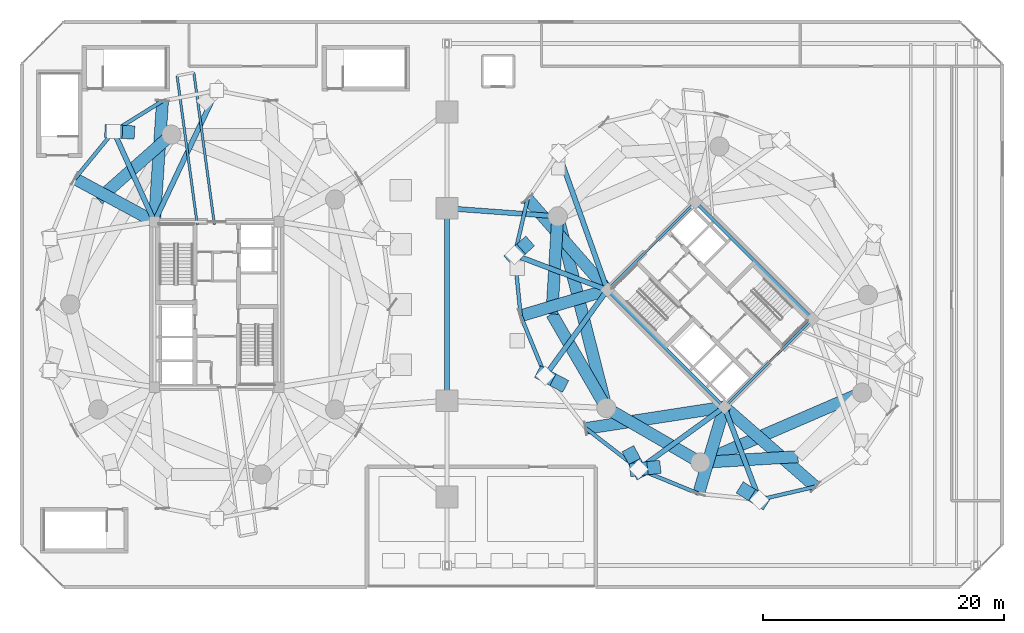
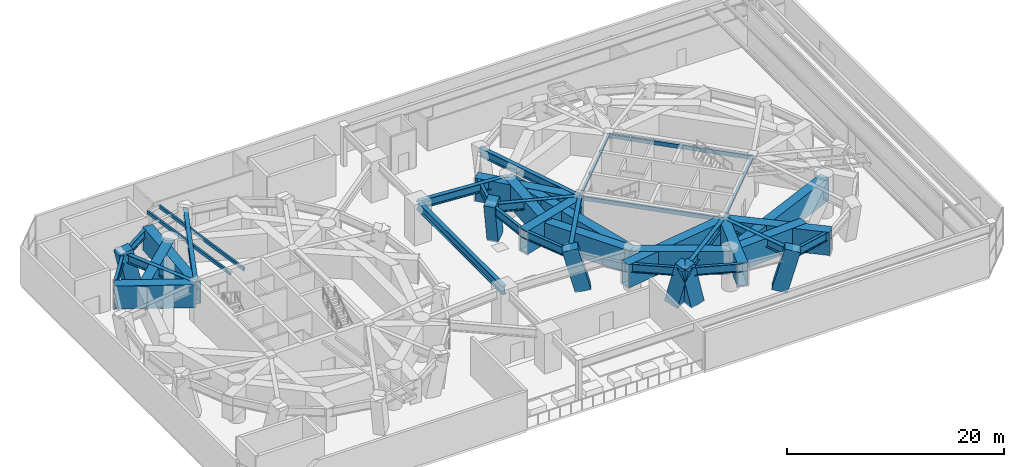
# One storey, part 5 of 25: 37 beams, 6 members.
"""IFC4 building model written with IfcOpenShell, lengths in metres."""

from ifc_helpers import new_model, si_unit, direction, frame, origin, origin_2d, place, context, subcontext, project, spatial, rectangle, hollow_rectangle, i_section, extrude, material, material_profile, profile_set, type_object, element, save


model = new_model("IFC4")

# Units and contexts
model_context = context("Model", 3, precision=1e-05, world=origin(), true_north=direction((0.0, 1.0)))
body_context = subcontext(model_context, "Body", "Model", "MODEL_VIEW")
ifc_project = project(units=[si_unit("LENGTHUNIT", "METRE"), si_unit("AREAUNIT", "SQUARE_METRE"), si_unit("VOLUMEUNIT", "CUBIC_METRE"), si_unit("PLANEANGLEUNIT", "RADIAN"), si_unit("MASSUNIT", "GRAM", prefix="KILO")], contexts=[model_context])

# Site, building, storey
site_placement = place(None, origin())
site = spatial("IfcSite", under=ifc_project, at=site_placement, CompositionType="ELEMENT")
building_placement = place(site_placement, origin())
building = spatial("IfcBuilding", under=site, at=building_placement, Name="Cununo Teusaquillo Station Towers", CompositionType="ELEMENT")
storey_placement = place(building_placement, frame((0.0, 0.0, 17.39990234375)))
storey = spatial("IfcBuildingStorey", under=building, at=storey_placement, Name="L04", CompositionType="ELEMENT", Elevation=17.39990234375)

# Beams
ifc_material_1 = material(Name="Steel EN 10025-2 S355J2", Category="steel")
ifc_material_profile_1 = material_profile(ifc_material_1, hollow_rectangle(XDim=0.199951171875, YDim=0.35009765625, WallThickness=0.013916015625, at=origin_2d()), Name="RHS 350x200x14")
ifc_profile_set_1 = profile_set([ifc_material_profile_1], Name="Steel EN 10025-2 S355J2")
beam_type_1 = type_object("IfcBeamType", Name="BM-BAL-CANT", PredefinedType="BEAM", material=ifc_profile_set_1)
beam_1_placement = place(storey_placement, frame((16.3125, 31.14990234375, 4.1650390625), z_axis=(-0.1343260621, 0.990937187233, 0.0), x_axis=(-0.990937187233, -0.1343260621, 0.0)))
element("IfcBeam", 1, at=beam_1_placement, inside=storey, type_object=beam_type_1, Name="L04 Tower A Balcony Cantilever Bracket 1A", PredefinedType="BEAM", context=body_context, shape_type="SweptSolid", body=[
    extrude(hollow_rectangle(XDim=0.199951171875, YDim=0.35009765625, WallThickness=0.013916015625, at=origin_2d()), origin(), (0.0, 0.0, 1.0), 12.748046875),
])
beam_2_placement = place(storey_placement, frame((14.884521484375, 31.14990234375, 4.1650390625), z_axis=(-0.134333385501, 0.990936194485, 0.0), x_axis=(-0.990936194485, -0.134333385501, 0.0)))
element("IfcBeam", 2, at=beam_2_placement, inside=storey, type_object=beam_type_1, Name="L04 Tower A Balcony Cantilever Bracket 1B", PredefinedType="BEAM", context=body_context, shape_type="SweptSolid", body=[
    extrude(hollow_rectangle(XDim=0.199951171875, YDim=0.35009765625, WallThickness=0.013916015625, at=origin_2d()), origin(), (0.0, 0.0, 1.0), 12.4765625),
])
ifc_material_2 = material(Name="Steel EN 10025-2 S355J2", Category="steel")
ifc_material_profile_2 = material_profile(ifc_material_2, hollow_rectangle(XDim=0.25, YDim=0.449951171875, WallThickness=0.01611328125, at=origin_2d()), Name="RHS 450x250x16")
ifc_profile_set_2 = profile_set([ifc_material_profile_2], Name="Steel EN 10025-2 S355J2")
beam_type_2 = type_object("IfcBeamType", Name="BM-COUP-1", PredefinedType="USERDEFINED", material=ifc_profile_set_2)
for number, where, z_axis, x_axis, name in (
    (3, (58.70556640625, 15.975830078125, 4.114990234375), (-0.707106781187, 0.707106781187, 0.0), (-0.707106781187, -0.707106781187, 0.0), "L04 Tower B Core Beam 1"),
    (4, (66.024169921875, 23.29443359375, 4.114990234375), (-0.707106781187, 0.707106781187, 0.0), (-0.707106781187, -0.707106781187, 0.0), "L04 Tower B Core Beam 2"),
):
    element("IfcBeam", number, at=place(storey_placement, frame(where, z_axis=z_axis, x_axis=x_axis)), inside=storey, type_object=beam_type_2, Name=name, ObjectType="COUPLING BEAM", PredefinedType="USERDEFINED", context=body_context, shape_type="SweptSolid", body=[
        extrude(hollow_rectangle(XDim=0.25, YDim=0.449951171875, WallThickness=0.01611328125, at=origin_2d()), origin(), (0.0, 0.0, 1.0), 13.760009765625),
    ])
ifc_material_3 = material(Name="Steel ASTM A572 Grade 50", Category="steel")
ifc_material_profile_3 = material_profile(ifc_material_3, i_section(OverallWidth=0.2041015625, OverallDepth=0.35009765625, WebThickness=0.008544921875, FlangeThickness=0.01513671875, FilletRadius=0.011962890625, at=origin_2d()), Name="W14X48")
ifc_profile_set_3 = profile_set([ifc_material_profile_3], Name="Steel ASTM A572 Grade 50")
beam_type_3 = type_object("IfcBeamType", Name="BM-LINTEL-1", PredefinedType="LINTEL", material=ifc_profile_set_3)
for number, where, z_axis, x_axis, name in (
    (5, (58.70556640625, 15.975830078125, 4.1650390625), (0.707106781187, 0.707106781187, 0.0), (-0.707106781187, 0.707106781187, 0.0), "L04 Tower B Core Beam 3"),
    (6, (48.975830078125, 25.70556640625, 4.1650390625), (0.707106781187, 0.707106781187, 0.0), (-0.707106781187, 0.707106781187, 0.0), "L04 Tower B Core Beam 4"),
):
    element("IfcBeam", number, at=place(storey_placement, frame(where, z_axis=z_axis, x_axis=x_axis)), inside=storey, type_object=beam_type_3, Name=name, PredefinedType="LINTEL", context=body_context, shape_type="SweptSolid", body=[
        extrude(i_section(OverallWidth=0.2041015625, OverallDepth=0.35009765625, WebThickness=0.008544921875, FlangeThickness=0.01513671875, FilletRadius=0.011962890625, at=origin_2d()), origin(), (0.0, 0.0, 1.0), 10.35009765625),
    ])
ifc_material_4 = material(Name="Steel ASTM A572 Grade 50", Category="steel")
ifc_material_profile_4 = material_profile(ifc_material_4, i_section(OverallWidth=0.30810546875, OverallDepth=0.943115234375, WebThickness=0.022216796875, FlangeThickness=0.039794921875, FilletRadius=0.02392578125, at=origin_2d()), Name="W36X232")
ifc_profile_set_4 = profile_set([ifc_material_profile_4], Name="Steel ASTM A572 Grade 50")
beam_type_4 = type_object("IfcBeamType", Name="BM-POD-SEC", PredefinedType="BEAM", material=ifc_profile_set_4)
beam_3_placement = place(storey_placement, frame((11.997314453125, 41.419189453125, 3.8681640625), z_axis=(-0.849114591758, -0.528208680412, 0.0), x_axis=(0.528208680412, -0.849114591758, 0.0)))
element("IfcBeam", 7, at=beam_3_placement, inside=storey, type_object=beam_type_4, Name="L04 Tower A Outer Diagrid Shoe Ring Girder 07", PredefinedType="BEAM", context=body_context, shape_type="SweptSolid", body=[
    extrude(i_section(OverallWidth=0.30810546875, OverallDepth=0.943115234375, WebThickness=0.022216796875, FlangeThickness=0.039794921875, FilletRadius=0.02392578125, at=origin_2d()), origin(), (0.0, 0.0, 1.0), 4.783935546875),
])
beam_4_placement = place(storey_placement, frame((7.935302734375, 38.892333984375, 3.8681640625), z_axis=(-0.633637559371, -0.77363004295, 0.0), x_axis=(0.77363004295, -0.633637559371, 0.0)))
element("IfcBeam", 8, at=beam_4_placement, inside=storey, type_object=beam_type_4, Name="L04 Tower A Outer Diagrid Shoe Ring Girder 08", PredefinedType="BEAM", context=body_context, shape_type="SweptSolid", body=[
    extrude(i_section(OverallWidth=0.30810546875, OverallDepth=0.943115234375, WebThickness=0.022216796875, FlangeThickness=0.039794921875, FilletRadius=0.02392578125, at=origin_2d()), origin(), (0.0, 0.0, 1.0), 5.087158203125),
])
beam_5_placement = place(storey_placement, frame((42.352294921875, 33.27978515625, 3.8681640625), z_axis=(-0.226905318414, -0.973916822154, 0.0), x_axis=(0.973916822154, -0.226905318414, 0.0)))
element("IfcBeam", 9, at=beam_5_placement, inside=storey, type_object=beam_type_4, Name="L04 Tower B Outer Diagrid Shoe Ring Girder 07", PredefinedType="BEAM", context=body_context, shape_type="SweptSolid", body=[
    extrude(i_section(OverallWidth=0.30810546875, OverallDepth=0.943115234375, WebThickness=0.022216796875, FlangeThickness=0.039794921875, FilletRadius=0.02392578125, at=origin_2d()), origin(), (0.0, 0.0, 1.0), 4.78369140625),
])
beam_6_placement = place(storey_placement, frame((41.266845703125, 28.620849609375, 3.8681640625), z_axis=(0.0990047934, -0.995086956443, 0.0), x_axis=(0.995086956443, 0.0990047934, 0.0)))
element("IfcBeam", 10, at=beam_6_placement, inside=storey, type_object=beam_type_4, Name="L04 Tower B Outer Diagrid Shoe Ring Girder 08", PredefinedType="BEAM", context=body_context, shape_type="SweptSolid", body=[
    extrude(i_section(OverallWidth=0.30810546875, OverallDepth=0.943115234375, WebThickness=0.022216796875, FlangeThickness=0.039794921875, FilletRadius=0.02392578125, at=origin_2d()), origin(), (0.0, 0.0, 1.0), 5.087158203125),
])
beam_7_placement = place(storey_placement, frame((41.7705078125, 23.55859375, 3.8681640625), z_axis=(0.380217331798, -0.924897172988, 0.0), x_axis=(0.924897172988, 0.380217331798, 0.0)))
element("IfcBeam", 11, at=beam_7_placement, inside=storey, type_object=beam_type_4, Name="L04 Tower B Outer Diagrid Shoe Ring Girder 09", PredefinedType="BEAM", context=body_context, shape_type="SweptSolid", body=[
    extrude(i_section(OverallWidth=0.30810546875, OverallDepth=0.943115234375, WebThickness=0.022216796875, FlangeThickness=0.039794921875, FilletRadius=0.02392578125, at=origin_2d()), origin(), (0.0, 0.0, 1.0), 5.373779296875),
])
beam_8_placement = place(storey_placement, frame((47.19677734375, 14.19677734375, 3.8681640625), z_axis=(0.792196489167, -0.610266107982, 0.0), x_axis=(0.610266107982, 0.792196489167, 0.0)))
element("IfcBeam", 12, at=beam_8_placement, inside=storey, type_object=beam_type_4, Name="L04 Tower B Outer Diagrid Shoe Ring Girder 11", PredefinedType="BEAM", context=body_context, shape_type="SweptSolid", body=[
    extrude(i_section(OverallWidth=0.30810546875, OverallDepth=0.943115234375, WebThickness=0.022216796875, FlangeThickness=0.039794921875, FilletRadius=0.02392578125, at=origin_2d()), origin(), (0.0, 0.0, 1.0), 5.54345703125),
])
beam_9_placement = place(storey_placement, frame((51.58837890625, 10.813720703125, 3.8681640625), z_axis=(0.924897172988, -0.380217331798, 0.0), x_axis=(0.380217331798, 0.924897172988, 0.0)))
element("IfcBeam", 13, at=beam_9_placement, inside=storey, type_object=beam_type_4, Name="L04 Tower B Outer Diagrid Shoe Ring Girder 12", PredefinedType="BEAM", context=body_context, shape_type="SweptSolid", body=[
    extrude(i_section(OverallWidth=0.30810546875, OverallDepth=0.943115234375, WebThickness=0.022216796875, FlangeThickness=0.039794921875, FilletRadius=0.02392578125, at=origin_2d()), origin(), (0.0, 0.0, 1.0), 5.373779296875),
])
beam_10_placement = place(storey_placement, frame((61.620849609375, 8.266845703125, 3.8681640625), z_axis=(0.973916822154, 0.226905318414, 0.0), x_axis=(-0.226905318414, 0.973916822154, 0.0)))
element("IfcBeam", 14, at=beam_10_placement, inside=storey, type_object=beam_type_4, Name="L04 Tower B Outer Diagrid Shoe Ring Girder 14", PredefinedType="BEAM", context=body_context, shape_type="SweptSolid", body=[
    extrude(i_section(OverallWidth=0.30810546875, OverallDepth=0.943115234375, WebThickness=0.022216796875, FlangeThickness=0.039794921875, FilletRadius=0.02392578125, at=origin_2d()), origin(), (0.0, 0.0, 1.0), 4.78369140625),
])
ifc_material_5 = material(Name="Steel ASTM A572 Grade 50", Category="steel")
ifc_material_profile_5 = material_profile(ifc_material_5, i_section(OverallWidth=0.423095703125, OverallDepth=0.947998046875, WebThickness=0.02392578125, FlangeThickness=0.042724609375, FilletRadius=0.02392578125, at=origin_2d()), Name="W36X302")
ifc_profile_set_5 = profile_set([ifc_material_profile_5], Name="Steel ASTM A572 Grade 50")
beam_type_5 = type_object("IfcBeamType", Name="BM-POD-SPAN", PredefinedType="BEAM", material=ifc_profile_set_5)
beam_11_placement = place(storey_placement, frame((11.324951171875, 31.3798828125, 3.8662109375), z_axis=(0.428565163203, 0.903510874804, 0.0), x_axis=(-0.903510874804, 0.428565163203, 0.0)))
element("IfcBeam", 15, at=beam_11_placement, inside=storey, type_object=beam_type_5, Name="L04 Tower A Spandrel Support Girder V05", PredefinedType="BEAM", context=body_context, shape_type="SweptSolid", body=[
    extrude(i_section(OverallWidth=0.423095703125, OverallDepth=0.947998046875, WebThickness=0.02392578125, FlangeThickness=0.042724609375, FilletRadius=0.02392578125, at=origin_2d()), origin(), (0.0, 0.0, 1.0), 12.0751953125),
])
beam_12_placement = place(storey_placement, frame((11.324951171875, 31.3798828125, 3.8662109375), z_axis=(-0.41127716143, 0.911510338113, 0.0), x_axis=(-0.911510338113, -0.41127716143, 0.0)))
element("IfcBeam", 16, at=beam_12_placement, inside=storey, type_object=beam_type_5, Name="L04 Tower A Spandrel Support Girder V07", PredefinedType="BEAM", context=body_context, shape_type="SweptSolid", body=[
    extrude(i_section(OverallWidth=0.423095703125, OverallDepth=0.947998046875, WebThickness=0.02392578125, FlangeThickness=0.042724609375, FilletRadius=0.02392578125, at=origin_2d()), origin(), (0.0, 0.0, 1.0), 8.24169921875),
])
beam_13_placement = place(storey_placement, frame((48.975830078125, 25.70556640625, 3.8662109375), z_axis=(-0.335830426812, 0.941922462004, 0.0), x_axis=(-0.941922462004, -0.335830426812, 0.0)))
element("IfcBeam", 17, at=beam_13_placement, inside=storey, type_object=beam_type_5, Name="L04 Tower B Spandrel Support Girder V05", PredefinedType="BEAM", context=body_context, shape_type="SweptSolid", body=[
    extrude(i_section(OverallWidth=0.423095703125, OverallDepth=0.947998046875, WebThickness=0.02392578125, FlangeThickness=0.042724609375, FilletRadius=0.02392578125, at=origin_2d()), origin(), (0.0, 0.0, 1.0), 12.074951171875),
])
beam_14_placement = place(storey_placement, frame((48.975830078125, 25.70556640625, 3.8662109375), z_axis=(-0.935351694296, 0.353719108867, 0.0), x_axis=(-0.353719108867, -0.935351694296, 0.0)))
element("IfcBeam", 18, at=beam_14_placement, inside=storey, type_object=beam_type_5, Name="L04 Tower B Spandrel Support Girder V07", PredefinedType="BEAM", context=body_context, shape_type="SweptSolid", body=[
    extrude(i_section(OverallWidth=0.423095703125, OverallDepth=0.947998046875, WebThickness=0.02392578125, FlangeThickness=0.042724609375, FilletRadius=0.02392578125, at=origin_2d()), origin(), (0.0, 0.0, 1.0), 8.24169921875),
])
for number, where, z_axis, x_axis, name in (
    (19, (48.975830078125, 25.70556640625, 3.8662109375), (-0.587127729658, -0.80949430453, 0.0), (0.80949430453, -0.587127729658, 0.0), "L04 Tower B Spandrel Support Girder V09"),
    (20, (58.70556640625, 15.975830078125, 3.8662109375), (-0.80949430453, -0.587127729658, 0.0), (0.587127729658, -0.80949430453, 0.0), "L04 Tower B Spandrel Support Girder V11"),
):
    element("IfcBeam", number, at=place(storey_placement, frame(where, z_axis=z_axis, x_axis=x_axis)), inside=storey, type_object=beam_type_5, Name=name, PredefinedType="BEAM", context=body_context, shape_type="SweptSolid", body=[
        extrude(i_section(OverallWidth=0.423095703125, OverallDepth=0.947998046875, WebThickness=0.02392578125, FlangeThickness=0.042724609375, FilletRadius=0.02392578125, at=origin_2d()), origin(), (0.0, 0.0, 1.0), 8.792236328125),
    ])
beam_15_placement = place(storey_placement, frame((58.70556640625, 15.975830078125, 3.8662109375), z_axis=(0.353719108867, -0.935351694296, 0.0), x_axis=(0.935351694296, 0.353719108867, 0.0)))
element("IfcBeam", 21, at=beam_15_placement, inside=storey, type_object=beam_type_5, Name="L04 Tower B Spandrel Support Girder V13", PredefinedType="BEAM", context=body_context, shape_type="SweptSolid", body=[
    extrude(i_section(OverallWidth=0.423095703125, OverallDepth=0.947998046875, WebThickness=0.02392578125, FlangeThickness=0.042724609375, FilletRadius=0.02392578125, at=origin_2d()), origin(), (0.0, 0.0, 1.0), 8.24169921875),
])
beam_16_placement = place(storey_placement, frame((35.64990234375, 16.5, 3.8662109375), z_axis=(0.0, 1.0, 0.0), x_axis=(-1.0, 0.0, 0.0)))
element("IfcBeam", 22, at=beam_16_placement, inside=storey, type_object=beam_type_5, Name="L04 Station Podium Girder NS-HALL", PredefinedType="BEAM", context=body_context, shape_type="SweptSolid", body=[
    extrude(i_section(OverallWidth=0.423095703125, OverallDepth=0.947998046875, WebThickness=0.02392578125, FlangeThickness=0.042724609375, FilletRadius=0.02392578125, at=origin_2d()), origin(), (0.0, 0.0, 1.0), 16.0),
])
beam_17_placement = place(storey_placement, frame((35.64990234375, 32.5, 3.8662109375), z_axis=(0.997336540567, -0.072937129429, 0.0), x_axis=(0.072937129429, 0.997336540567, 0.0)))
element("IfcBeam", 23, at=beam_17_placement, inside=storey, type_object=beam_type_5, Name="L04 Station Podium Girder EW-M2", PredefinedType="BEAM", context=body_context, shape_type="SweptSolid", body=[
    extrude(i_section(OverallWidth=0.423095703125, OverallDepth=0.947998046875, WebThickness=0.02392578125, FlangeThickness=0.042724609375, FilletRadius=0.02392578125, at=origin_2d()), origin(), (0.0, 0.0, 1.0), 9.228515625),
])
ifc_material_6 = material(Name="Steel ASTM A572 Grade 50", Category="steel")
ifc_material_profile_6 = material_profile(ifc_material_6, hollow_rectangle(XDim=1.0, YDim=2.60009765625, WallThickness=0.054931640625, at=origin_2d()), Name="BOX 2600x1000x55")
ifc_profile_set_6 = profile_set([ifc_material_profile_6], Name="Steel ASTM A572 Grade 50")
beam_type_6 = type_object("IfcBeamType", Name="BM-XFER-POD", PredefinedType="USERDEFINED", material=ifc_profile_set_6)
beam_18_placement = place(storey_placement, frame((12.738525390625, 38.623291015625, 3.0400390625), z_axis=(-0.74832120039, -0.66333655187, 0.0), x_axis=(0.66333655187, -0.74832120039, 0.0)))
element("IfcBeam", 24, at=beam_18_placement, inside=storey, type_object=beam_type_6, Name="L04 Tower A Perimeter Transfer Girder 05", ObjectType="TRANSFER GIRDER", PredefinedType="USERDEFINED", context=body_context, shape_type="SweptSolid", body=[
    extrude(hollow_rectangle(XDim=1.0, YDim=2.60009765625, WallThickness=0.054931640625, at=origin_2d()), origin(), (0.0, 0.0, 1.0), 8.1328125),
])
beam_19_placement = place(storey_placement, frame((11.324951171875, 31.3798828125, 3.0400390625), z_axis=(0.066823382544, 0.997764819757, 0.0), x_axis=(-0.997764819757, 0.066823382544, 0.0)))
element("IfcBeam", 25, at=beam_19_placement, inside=storey, type_object=beam_type_6, Name="L04 Tower A Radial Transfer Girder 04", ObjectType="TRANSFER GIRDER", PredefinedType="USERDEFINED", context=body_context, shape_type="SweptSolid", body=[
    extrude(hollow_rectangle(XDim=1.0, YDim=2.60009765625, WallThickness=0.054931640625, at=origin_2d()), origin(), (0.0, 0.0, 1.0), 10.061767578125),
])
beam_20_placement = place(storey_placement, frame((11.324951171875, 31.3798828125, 3.0400390625), z_axis=(-0.879579088989, 0.475752694384, 0.0), x_axis=(-0.475752694384, -0.879579088989, 0.0)))
element("IfcBeam", 26, at=beam_20_placement, inside=storey, type_object=beam_type_6, Name="L04 Tower A Radial Transfer Girder 05", ObjectType="TRANSFER GIRDER", PredefinedType="USERDEFINED", context=body_context, shape_type="SweptSolid", body=[
    extrude(hollow_rectangle(XDim=1.0, YDim=2.60009765625, WallThickness=0.054931640625, at=origin_2d()), origin(), (0.0, 0.0, 1.0), 7.518310546875),
])
beam_21_placement = place(storey_placement, frame((44.853759765625, 31.826904296875, 3.025146484375), z_axis=(0.245731928557, -0.969337825161, 0.0), x_axis=(0.969337825161, 0.245731928557, 0.0)))
element("IfcBeam", 27, at=beam_21_placement, inside=storey, type_object=beam_type_6, Name="L04 Tower B Primary Column-to-Column Transfer Girder 03", ObjectType="TRANSFER GIRDER", PredefinedType="USERDEFINED", context=body_context, shape_type="SweptSolid", body=[
    extrude(hollow_rectangle(XDim=1.0, YDim=2.60009765625, WallThickness=0.054931640625, at=origin_2d()), origin(), (0.0, 0.0, 1.0), 16.437744140625),
])
beam_22_placement = place(storey_placement, frame((56.708984375, 11.36474609375, 3.025146484375), z_axis=(0.917915648818, 0.396775580971, 0.0), x_axis=(-0.396775580971, 0.917915648818, 0.0)))
element("IfcBeam", 28, at=beam_22_placement, inside=storey, type_object=beam_type_6, Name="L04 Tower B Primary Column-to-Column Transfer Girder 04", ObjectType="TRANSFER GIRDER", PredefinedType="USERDEFINED", context=body_context, shape_type="SweptSolid", body=[
    extrude(hollow_rectangle(XDim=1.0, YDim=2.60009765625, WallThickness=0.054931640625, at=origin_2d()), origin(), (0.0, 0.0, 1.0), 14.638916015625),
])
beam_23_placement = place(storey_placement, frame((44.853759765625, 31.826904296875, 3.0400390625), z_axis=(-0.06012979176, -0.998190567048, 0.0), x_axis=(0.998190567048, -0.06012979176, 0.0)))
element("IfcBeam", 29, at=beam_23_placement, inside=storey, type_object=beam_type_6, Name="L04 Tower B Perimeter Transfer Girder 05", ObjectType="TRANSFER GIRDER", PredefinedType="USERDEFINED", context=body_context, shape_type="SweptSolid", body=[
    extrude(hollow_rectangle(XDim=1.0, YDim=2.60009765625, WallThickness=0.054931640625, at=origin_2d()), origin(), (0.0, 0.0, 1.0), 8.132568359375),
])
for number, where, z_axis, x_axis, name in (
    (30, (44.36474609375, 23.708984375, 3.0400390625), (0.501311121078, -0.865267103202, 0.0), (0.865267103202, 0.501311121078, 0.0), "L04 Tower B Perimeter Transfer Girder 06"),
    (31, (48.89306640625, 15.89306640625, 3.0400390625), (0.865267103202, -0.501311121078, 0.0), (0.501311121078, 0.865267103202, 0.0), "L04 Tower B Perimeter Transfer Girder 07"),
):
    element("IfcBeam", number, at=place(storey_placement, frame(where, z_axis=z_axis, x_axis=x_axis)), inside=storey, type_object=beam_type_6, Name=name, ObjectType="TRANSFER GIRDER", PredefinedType="USERDEFINED", context=body_context, shape_type="SweptSolid", body=[
        extrude(hollow_rectangle(XDim=1.0, YDim=2.60009765625, WallThickness=0.054931640625, at=origin_2d()), origin(), (0.0, 0.0, 1.0), 9.032958984375),
    ])
beam_24_placement = place(storey_placement, frame((56.708984375, 11.36474609375, 3.0400390625), z_axis=(0.998190567048, 0.06012979176, 0.0), x_axis=(-0.06012979176, 0.998190567048, 0.0)))
element("IfcBeam", 32, at=beam_24_placement, inside=storey, type_object=beam_type_6, Name="L04 Tower B Perimeter Transfer Girder 08", ObjectType="TRANSFER GIRDER", PredefinedType="USERDEFINED", context=body_context, shape_type="SweptSolid", body=[
    extrude(hollow_rectangle(XDim=1.0, YDim=2.60009765625, WallThickness=0.054931640625, at=origin_2d()), origin(), (0.0, 0.0, 1.0), 8.132568359375),
])
beam_25_placement = place(storey_placement, frame((48.975830078125, 25.70556640625, 3.0400390625), z_axis=(-0.658284699888, 0.752769057476, 0.0), x_axis=(-0.752769057476, -0.658284699888, 0.0)))
element("IfcBeam", 33, at=beam_25_placement, inside=storey, type_object=beam_type_6, Name="L04 Tower B Radial Transfer Girder 04", ObjectType="TRANSFER GIRDER", PredefinedType="USERDEFINED", context=body_context, shape_type="SweptSolid", body=[
    extrude(hollow_rectangle(XDim=1.0, YDim=2.60009765625, WallThickness=0.054931640625, at=origin_2d()), origin(), (0.0, 0.0, 1.0), 10.061767578125),
])
beam_26_placement = place(storey_placement, frame((48.975830078125, 25.70556640625, 3.0400390625), z_axis=(-0.958359971767, -0.285562890649, 0.0), x_axis=(0.285562890649, -0.958359971767, 0.0)))
element("IfcBeam", 34, at=beam_26_placement, inside=storey, type_object=beam_type_6, Name="L04 Tower B Radial Transfer Girder 05", ObjectType="TRANSFER GIRDER", PredefinedType="USERDEFINED", context=body_context, shape_type="SweptSolid", body=[
    extrude(hollow_rectangle(XDim=1.0, YDim=2.60009765625, WallThickness=0.054931640625, at=origin_2d()), origin(), (0.0, 0.0, 1.0), 7.518310546875),
])
beam_27_placement = place(storey_placement, frame((58.70556640625, 15.975830078125, 3.0400390625), z_axis=(-0.988262136534, -0.152767632349, 0.0), x_axis=(0.152767632349, -0.988262136534, 0.0)))
element("IfcBeam", 35, at=beam_27_placement, inside=storey, type_object=beam_type_6, Name="L04 Tower B Radial Transfer Girder 06", ObjectType="TRANSFER GIRDER", PredefinedType="USERDEFINED", context=body_context, shape_type="SweptSolid", body=[
    extrude(hollow_rectangle(XDim=1.0, YDim=2.60009765625, WallThickness=0.054931640625, at=origin_2d()), origin(), (0.0, 0.0, 1.0), 11.6455078125),
])
beam_28_placement = place(storey_placement, frame((58.70556640625, 15.975830078125, 3.0400390625), z_axis=(-0.285562890649, -0.958359971767, 0.0), x_axis=(0.958359971767, -0.285562890649, 0.0)))
element("IfcBeam", 36, at=beam_28_placement, inside=storey, type_object=beam_type_6, Name="L04 Tower B Radial Transfer Girder 07", ObjectType="TRANSFER GIRDER", PredefinedType="USERDEFINED", context=body_context, shape_type="SweptSolid", body=[
    extrude(hollow_rectangle(XDim=1.0, YDim=2.60009765625, WallThickness=0.054931640625, at=origin_2d()), origin(), (0.0, 0.0, 1.0), 7.518310546875),
])
beam_29_placement = place(storey_placement, frame((58.70556640625, 15.975830078125, 3.0400390625), z_axis=(0.752769057476, -0.658284699888, 0.0), x_axis=(0.658284699888, 0.752769057476, 0.0)))
element("IfcBeam", 37, at=beam_29_placement, inside=storey, type_object=beam_type_6, Name="L04 Tower B Radial Transfer Girder 08", ObjectType="TRANSFER GIRDER", PredefinedType="USERDEFINED", context=body_context, shape_type="SweptSolid", body=[
    extrude(hollow_rectangle(XDim=1.0, YDim=2.60009765625, WallThickness=0.054931640625, at=origin_2d()), origin(), (0.0, 0.0, 1.0), 10.061767578125),
])

# Members
ifc_material_7 = material(Name="Concrete C60/75", Category="concrete")
ifc_material_profile_7 = material_profile(ifc_material_7, rectangle(XDim=1.10009765625, YDim=1.5, at=origin_2d()), Name="RC-RECT-1500x1100")
ifc_profile_set_7 = profile_set([ifc_material_profile_7], Name="Concrete C60/75")
member_type = type_object("IfcMemberType", Name="MBR-VFOOT", PredefinedType="USERDEFINED", material=ifc_profile_set_7)
for number, where, z_axis, x_axis, name in (
    (38, (8.939697265625, 38.836181640625, 0.0), (-0.213301290439, 0.011924962762, 0.976913688491), (-0.055819494801, -0.998440876567, 0.0), "L04 Tower A Sloping Concrete V-Foot V06R"),
    (39, (42.016845703125, 29.291259765625, 0.0), (-0.159276066323, -0.142373723347, 0.97691394585), (0.666440076074, -0.745558599308, 0.0), "L04 Tower B Sloping Concrete V-Foot V06R"),
):
    element("IfcMember", number, at=place(storey_placement, frame(where, z_axis=z_axis, x_axis=x_axis)), inside=storey, type_object=member_type, Name=name, ObjectType="V FOOT STRUT", PredefinedType="USERDEFINED", context=body_context, shape_type="SweptSolid", body=[
        extrude(rectangle(XDim=1.10009765625, YDim=1.5, at=origin_2d()), origin(), (0.0, 0.0, 1.0), 4.708740234375),
    ])
for number, where, z_axis, x_axis, name in (
    (40, (44.875732421875, 18.024658203125, 0.0), (-0.223363486498, 0.118562365592, 0.967497658067), (-0.468848376403, -0.883278664943, 0.0), "L04 Tower B Sloping Concrete V-Foot V10L"),
    (41, (51.024658203125, 11.875732421875, 0.0), (0.118562365592, -0.223363486498, 0.967497658067), (0.883278664943, 0.468848376403, 0.0), "L04 Tower B Sloping Concrete V-Foot V10R"),
):
    element("IfcMember", number, at=place(storey_placement, frame(where, z_axis=z_axis, x_axis=x_axis)), inside=storey, type_object=member_type, Name=name, ObjectType="V FOOT STRUT", PredefinedType="USERDEFINED", context=body_context, shape_type="SweptSolid", body=[
        extrude(rectangle(XDim=1.10009765625, YDim=1.5, at=origin_2d()), origin(), (0.0, 0.0, 1.0), 4.754638671875),
    ])
member_1_placement = place(storey_placement, frame((52.658935546875, 10.928955078125, 0.0), z_axis=(-0.226600017076, -0.024391153491, 0.973682445098), x_axis=(0.10702147475, -0.994256709277, 0.0)))
element("IfcMember", 42, at=member_1_placement, inside=storey, type_object=member_type, Name="L04 Tower B Sloping Concrete V-Foot V12L", ObjectType="V FOOT STRUT", PredefinedType="USERDEFINED", context=body_context, shape_type="SweptSolid", body=[
    extrude(rectangle(XDim=1.10009765625, YDim=1.5, at=origin_2d()), origin(), (0.0, 0.0, 1.0), 4.724365234375),
])
member_2_placement = place(storey_placement, frame((60.59375, 8.91455078125, 0.0), z_axis=(0.215883235996, -0.136139345162, 0.966881847547), x_axis=(0.533410389831, 0.845856581236, 0.0)))
element("IfcMember", 43, at=member_2_placement, inside=storey, type_object=member_type, Name="L04 Tower B Sloping Concrete V-Foot V12R", ObjectType="V FOOT STRUT", PredefinedType="USERDEFINED", context=body_context, shape_type="SweptSolid", body=[
    extrude(rectangle(XDim=1.10009765625, YDim=1.5, at=origin_2d()), origin(), (0.0, 0.0, 1.0), 4.757568359375),
])

save(model, "model.ifc")
